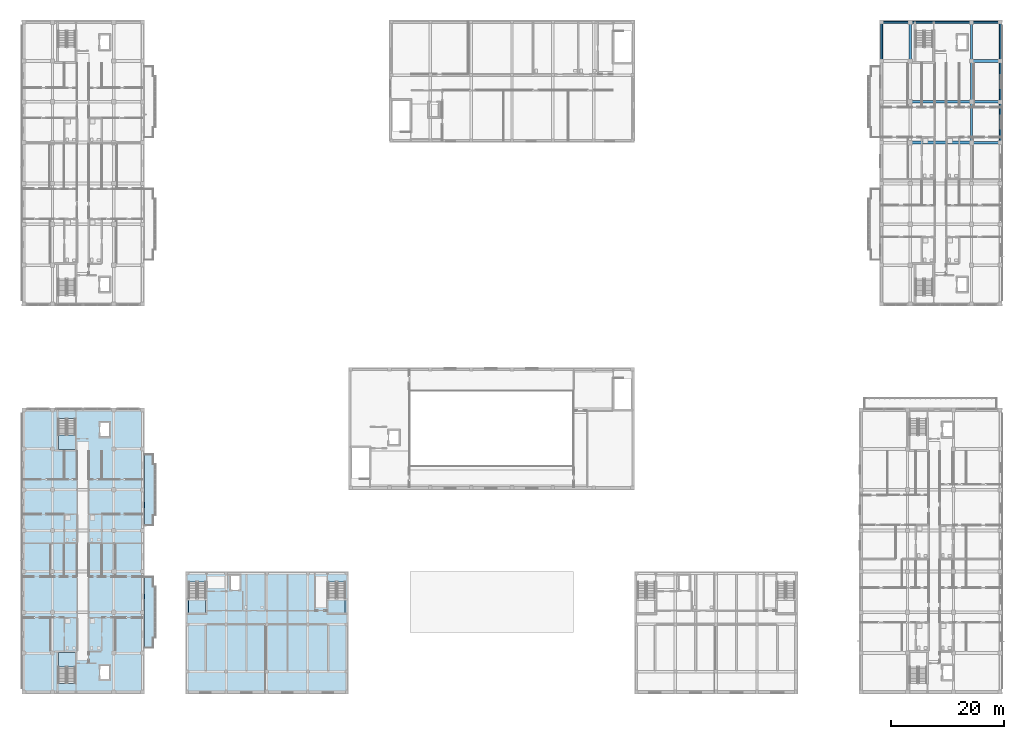
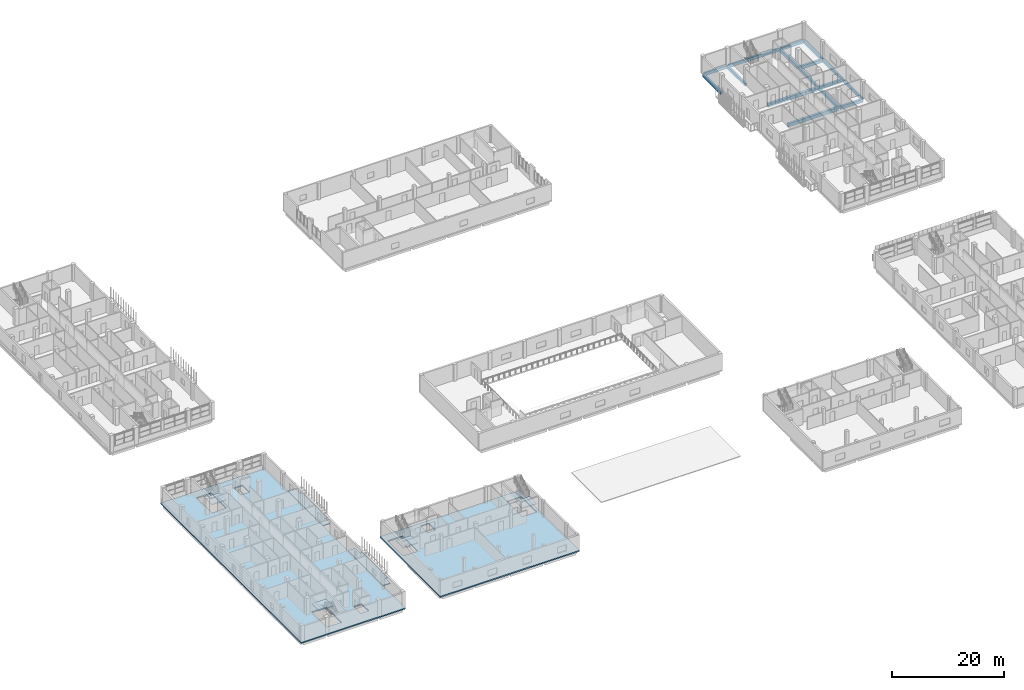
# One storey, part 28 of 73: 16 beams, 8 slabs, 4 elements without a shape of their own.
"""IFC4 building model written with IfcOpenShell, lengths in metres."""

import ifcopenshell
import ifcopenshell.guid

model = None  # the IFC model being written
_history = None  # IfcOwnerHistory: only IFC2X3 demands one
_inside = {}  # id of a spatial element -> (the spatial element, [elements in it])
_under = {}  # id of a project, library or spatial element -> (it, [spatial elements below it])
_declared = {}  # id of a project -> (the project, [libraries it declares])
_typed = {}  # id of a type object -> (the type object, [elements of that type])
_made_of = {}  # id of a material, layer set ... -> (it, [elements and type objects made of it])


def new_model(schema):
    """Start an empty IFC model of exactly this schema.

    Asked for "IFC4X3", IfcOpenShell would pick the latest addendum, in which some entities
    have other attributes; the version numbers below select the first issue.
    IFC2X3 requires an IfcOwnerHistory on every rooted entity: one is made here for all.
    """
    global model, _history
    if schema == "IFC4X3":
        model = ifcopenshell.file(schema_version=(4, 3, 0, 0))
    else:
        model = ifcopenshell.file(schema=schema)
    _inside.clear()
    _under.clear()
    _declared.clear()
    _typed.clear()
    _made_of.clear()
    _history = None
    if model.schema == "IFC2X3":
        org = make("IfcOrganization", Name="unknown")
        user = make(
            "IfcPersonAndOrganization",
            ThePerson=make("IfcPerson", FamilyName="unknown"),
            TheOrganization=org,
        )
        app = make(
            "IfcApplication",
            ApplicationDeveloper=org,
            Version="unknown",
            ApplicationFullName="unknown",
            ApplicationIdentifier="unknown",
        )
        _history = make(
            "IfcOwnerHistory",
            OwningUser=user,
            OwningApplication=app,
            ChangeAction="ADDED",
            CreationDate=0,
        )
    return model


def make(cls, **values):
    """One entity of the class cls with the attributes given. An attribute that is None is left unset."""
    return model.create_entity(
        cls, **{name: value for name, value in values.items() if value is not None}
    )


def rooted(cls, **values):
    """An entity with a GlobalId (a new one), such as an element, a storey or a relation."""
    return make(cls, GlobalId=ifcopenshell.guid.new(), OwnerHistory=_history, **values)


def si_unit(unit_type, name, prefix=None):
    """IfcSIUnit, for example si_unit("LENGTHUNIT", "METRE", prefix="MILLI")."""
    return make("IfcSIUnit", UnitType=unit_type, Prefix=prefix, Name=name)


def derived_unit(unit_type, elements):
    """IfcDerivedUnit: a product of units, each with its exponent."""
    return make(
        "IfcDerivedUnit",
        Elements=[
            make("IfcDerivedUnitElement", Unit=unit, Exponent=power)
            for unit, power in elements
        ],
        UnitType=unit_type,
    )


def assignment(units):
    """IfcUnitAssignment: the units of a project."""
    return None if units is None else make("IfcUnitAssignment", Units=units)


def point(xyz):
    """IfcCartesianPoint."""
    return None if xyz is None else make("IfcCartesianPoint", Coordinates=xyz)


def direction(xyz):
    """IfcDirection."""
    return None if xyz is None else make("IfcDirection", DirectionRatios=xyz)


def frame(location, z_axis=None, x_axis=None):
    """IfcAxis2Placement3D, a coordinate frame: its origin and axes. An axis left out is left unset."""
    return make(
        "IfcAxis2Placement3D",
        Location=point(location),
        Axis=direction(z_axis),
        RefDirection=direction(x_axis),
    )


def frame_2d(location, x_axis=None):
    """IfcAxis2Placement2D, a coordinate frame in the plane: its origin and x axis."""
    return make(
        "IfcAxis2Placement2D", Location=point(location), RefDirection=direction(x_axis)
    )


def origin():
    """The frame at (0, 0, 0) with its axes left unset."""
    return frame((0.0, 0.0, 0.0))


def origin_2d():
    """The frame at (0, 0) in the plane with its x axis left unset."""
    return frame_2d((0.0, 0.0))


def place(relative_to, where):
    """IfcLocalPlacement: puts the frame where relative to a parent placement (None: the world)."""
    return make(
        "IfcLocalPlacement", PlacementRelTo=relative_to, RelativePlacement=where
    )


def context(
    kind, dimensions, precision=None, world=None, true_north=None, identifier=None
):
    """IfcGeometricRepresentationContext, for example the 3D "Model" context."""
    return make(
        "IfcGeometricRepresentationContext",
        ContextIdentifier=identifier,
        ContextType=kind,
        CoordinateSpaceDimension=dimensions,
        Precision=precision,
        WorldCoordinateSystem=world,
        TrueNorth=true_north,
    )


def subcontext(parent, identifier, kind, view, scale=None):
    """IfcGeometricRepresentationSubContext, for example "Body" below "Model"."""
    return make(
        "IfcGeometricRepresentationSubContext",
        ContextIdentifier=identifier,
        ContextType=kind,
        ParentContext=parent,
        TargetScale=scale,
        TargetView=view,
    )


def project(units=None, contexts=None):
    """IfcProject with its units and contexts."""
    return rooted(
        "IfcProject",
        Name="project",
        RepresentationContexts=contexts,
        UnitsInContext=assignment(units),
    )


def spatial(cls, under=None, at=None, **own):
    """A site, building, storey or space (cls), placed at a placement, below another one or the project."""
    s = rooted(cls, ObjectPlacement=at, **own)
    if under is not None:
        _under.setdefault(under.id(), (under, []))[1].append(s)
    return s


def polyline(points):
    """IfcPolyline through the points."""
    return make("IfcPolyline", Points=[point(p) for p in points])


def profile(cls, at=None, kind="AREA", **sizes):
    """A parametric profile (cls). Its sizes go by their IFC names, for example OverallWidth=200.0."""
    return make(cls, ProfileType=kind, Position=at, **sizes)


def rectangle(**sizes):
    """IfcRectangleProfileDef."""
    return profile("IfcRectangleProfileDef", **sizes)


def outline(outer, holes=None, kind="AREA"):
    """IfcArbitraryClosedProfileDef: a profile drawn as a closed curve; with holes, ...WithVoids."""
    if holes is None:
        return make("IfcArbitraryClosedProfileDef", ProfileType=kind, OuterCurve=outer)
    return make(
        "IfcArbitraryProfileDefWithVoids",
        ProfileType=kind,
        OuterCurve=outer,
        InnerCurves=holes,
    )


def extrude(swept, where, along, depth):
    """IfcExtrudedAreaSolid: the profile swept, set in the frame where, extruded along a direction by depth."""
    return make(
        "IfcExtrudedAreaSolid",
        SweptArea=swept,
        Position=where,
        ExtrudedDirection=direction(along),
        Depth=depth,
    )


def shape(context_of_items, identifier, shape_type, items):
    """IfcShapeRepresentation: the items that make up one representation, for example the "Body"."""
    return make(
        "IfcShapeRepresentation",
        ContextOfItems=context_of_items,
        RepresentationIdentifier=identifier,
        RepresentationType=shape_type,
        Items=items,
    )


def material(Name=None, Category=None):
    """IfcMaterial."""
    return make("IfcMaterial", Name=Name, Category=Category)


def layer(
    of_material, thickness, ventilated=None, Name=None, Category=None, Priority=None
):
    """IfcMaterialLayer: one layer of a wall or slab, of a material (None: an air gap)."""
    return make(
        "IfcMaterialLayer",
        Material=of_material,
        LayerThickness=thickness,
        IsVentilated=ventilated,
        Name=Name,
        Category=Category,
        Priority=Priority,
    )


def layer_set(layers, Name=None):
    """IfcMaterialLayerSet."""
    return make("IfcMaterialLayerSet", MaterialLayers=layers, LayerSetName=Name)


def material_profile(
    of_material, cross_section, Name=None, Category=None, Priority=None
):
    """IfcMaterialProfile: a cross section and its material."""
    return make(
        "IfcMaterialProfile",
        Name=Name,
        Material=of_material,
        Profile=cross_section,
        Priority=Priority,
        Category=Category,
    )


def profile_set(profiles, Name=None, composite=None):
    """IfcMaterialProfileSet."""
    return make(
        "IfcMaterialProfileSet",
        Name=Name,
        MaterialProfiles=profiles,
        CompositeProfile=composite,
    )


def made_of(thing, what):
    """Note that an element or type object is made of a material, layer set ...; save() writes the relation."""
    if what is not None:
        _made_of.setdefault(what.id(), (what, []))[1].append(thing)
    return thing


def type_object(cls, material=None, **own):
    """A type object (cls), such as IfcWallType, which elements share."""
    return made_of(rooted(cls, **own), material)


def element(
    cls,
    number,
    at=None,
    inside=None,
    cuts=None,
    type_object=None,
    material=None,
    context=None,
    identifier="Body",
    shape_type=None,
    held_by="IfcProductDefinitionShape",
    body=None,
    shapes=None,
    **own,
):
    """One element of the class cls, such as IfcWall. Its Tag is "e" and its number.

    at: its placement. inside: the storey or other place that contains it. cuts: it is an
    opening in that element (IfcRelVoidsElement). A single representation is given by context,
    identifier, shape_type and body (its items); several are given by shapes. held_by: the class
    of the entity that holds the representations. save() writes the other relations.
    """
    e = rooted(cls, Tag="e%d" % number, ObjectPlacement=at, **own)
    if body is not None:
        shapes = [shape(context, identifier, shape_type, body)]
    if shapes is not None:
        e.Representation = make(held_by, Representations=shapes)
    if inside is not None:
        _inside.setdefault(inside.id(), (inside, []))[1].append(e)
    if cuts is not None:
        rooted(
            "IfcRelVoidsElement", RelatingBuildingElement=cuts, RelatedOpeningElement=e
        )
    if type_object is not None:
        _typed.setdefault(type_object.id(), (type_object, []))[1].append(e)
    return made_of(e, material)


def aggregate(whole, parts):
    """IfcRelAggregates: a whole, such as a stair, and the parts it consists of."""
    return rooted("IfcRelAggregates", RelatingObject=whole, RelatedObjects=parts)


def save(model, path):
    """Write the relations noted so far, then the file.

    IfcRelAggregates (storeys below a building ...), IfcRelContainedInSpatialStructure (elements
    in a storey), IfcRelDefinesByType, IfcRelAssociatesMaterial and IfcRelDeclares: one each for
    every whole, place, type object, material and project.
    """
    for whole, parts in _under.values():
        aggregate(whole, parts)
    for where, things in _inside.values():
        rooted(
            "IfcRelContainedInSpatialStructure",
            RelatedElements=things,
            RelatingStructure=where,
        )
    for kind, things in _typed.values():
        rooted("IfcRelDefinesByType", RelatedObjects=things, RelatingType=kind)
    for what, things in _made_of.values():
        rooted("IfcRelAssociatesMaterial", RelatedObjects=things, RelatingMaterial=what)
    for by, libraries in _declared.values():
        rooted("IfcRelDeclares", RelatingContext=by, RelatedDefinitions=libraries)
    model.write(path)


model = new_model("IFC4")

# Units and contexts
model_context = context("Model", 3, precision=1e-05, world=origin(), true_north=direction((0.0, 1.0)))
body_context = subcontext(model_context, "Body", "Model", "MODEL_VIEW")
ifc_project = project(units=[si_unit("LENGTHUNIT", "METRE"), si_unit("AREAUNIT", "SQUARE_METRE"), si_unit("VOLUMEUNIT", "CUBIC_METRE"), si_unit("PLANEANGLEUNIT", "RADIAN"), si_unit("MASSUNIT", "GRAM", prefix="KILO"), derived_unit("THERMALTRANSMITTANCEUNIT", [(si_unit("MASSUNIT", "GRAM", prefix="KILO"), 1), (si_unit("TIMEUNIT", "SECOND"), -3), (si_unit("THERMODYNAMICTEMPERATUREUNIT", "KELVIN"), -1)])], contexts=[model_context])

# Site, building, storey
site_placement = place(None, origin())
site = spatial("IfcSite", under=ifc_project, at=site_placement, CompositionType="ELEMENT")
building_placement = place(site_placement, origin())
building = spatial("IfcBuilding", under=site, at=building_placement, Name="Ochrekiln Boulevard Commons", CompositionType="ELEMENT")
storey_placement = place(building_placement, frame((0.0, 0.0, 4.89990234375)))
storey = spatial("IfcBuildingStorey", under=building, at=storey_placement, Name="L01", CompositionType="ELEMENT", Elevation=4.89990234375)

# Beams
ifc_material_1 = material(Name="Concrete C35/45", Category="concrete")
ifc_material_profile_1 = material_profile(ifc_material_1, rectangle(XDim=0.39990234375, YDim=0.60009765625, at=origin_2d()), Name="RC-BM-400x600")
ifc_profile_set_1 = profile_set([ifc_material_profile_1], Name="Concrete C35/45")
beam_type_1 = type_object("IfcBeamType", Name="BM-RC-400x600", PredefinedType="BEAM", material=ifc_profile_set_1)
beam_1_placement = place(storey_placement, frame((156.60009765625, 111.81005859375, -0.559814453125), z_axis=(0.0, 1.0, 0.0), x_axis=(-1.0, 0.0, 0.0)))
element("IfcBeam", 1, at=beam_1_placement, inside=storey, type_object=beam_type_1, Name="Block B L01 Beam B-4060 Y36", PredefinedType="BEAM", context=body_context, shape_type="SweptSolid", body=[
    extrude(rectangle(XDim=0.39990234375, YDim=0.60009765625, at=origin_2d()), origin(), (0.0, 0.0, 1.0), 6.429931640625),
])
beam_2_placement = place(storey_placement, frame((167.39990234375, 97.409912109375, -0.559814453125), z_axis=(0.0, 1.0, 0.0), x_axis=(-1.0, 0.0, 0.0)))
element("IfcBeam", 2, at=beam_2_placement, inside=storey, type_object=beam_type_1, Name="Block B L01 Beam B-4060 Y41", PredefinedType="BEAM", context=body_context, shape_type="SweptSolid", body=[
    extrude(rectangle(XDim=0.39990234375, YDim=0.60009765625, at=origin_2d()), origin(), (0.0, 0.0, 1.0), 6.780029296875),
])
beam_3_placement = place(storey_placement, frame((167.39990234375, 104.610107421875, -0.559814453125), z_axis=(0.0, 1.0, 0.0), x_axis=(-1.0, 0.0, 0.0)))
element("IfcBeam", 3, at=beam_3_placement, inside=storey, type_object=beam_type_1, Name="Block B L01 Beam B-4060 Y42", PredefinedType="BEAM", context=body_context, shape_type="SweptSolid", body=[
    extrude(rectangle(XDim=0.39990234375, YDim=0.60009765625, at=origin_2d()), origin(), (0.0, 0.0, 1.0), 6.77978515625),
])
beam_4_placement = place(storey_placement, frame((167.39990234375, 111.81005859375, -0.559814453125), z_axis=(0.0, 1.0, 0.0), x_axis=(-1.0, 0.0, 0.0)))
element("IfcBeam", 4, at=beam_4_placement, inside=storey, type_object=beam_type_1, Name="Block B L01 Beam B-4060 Y43", PredefinedType="BEAM", context=body_context, shape_type="SweptSolid", body=[
    extrude(rectangle(XDim=0.39990234375, YDim=0.60009765625, at=origin_2d()), origin(), (0.0, 0.0, 1.0), 6.429931640625),
])
ifc_material_profile_2 = material_profile(ifc_material_1, rectangle(XDim=0.449951171875, YDim=0.64990234375, at=origin_2d()), Name="RC-BM-450x650")
ifc_profile_set_2 = profile_set([ifc_material_profile_2], Name="Concrete C35/45")
beam_type_2 = type_object("IfcBeamType", Name="BM-RC-450x650", PredefinedType="BEAM", material=ifc_profile_set_2)
for number, where, z_axis, x_axis, name in (
    (5, (167.610107421875, 97.199951171875, -0.5849609375), (1.0, 0.0, 0.0), (0.0, 1.0, 0.0), "Block B L01 Beam B-4565 X14"),
    (6, (167.610107421875, 104.39990234375, -0.5849609375), (1.0, 0.0, 0.0), (0.0, 1.0, 0.0), "Block B L01 Beam B-4565 X17"),
    (7, (167.610107421875, 111.60009765625, -0.5849609375), (1.0, 0.0, 0.0), (0.0, 1.0, 0.0), "Block B L01 Beam B-4565 X19"),
):
    element("IfcBeam", number, at=place(storey_placement, frame(where, z_axis=z_axis, x_axis=x_axis)), inside=storey, type_object=beam_type_2, Name=name, PredefinedType="BEAM", context=body_context, shape_type="SweptSolid", body=[
        extrude(rectangle(XDim=0.449951171875, YDim=0.64990234375, at=origin_2d()), origin(), (0.0, 0.0, 1.0), 4.6298828125),
    ])
ifc_material_2 = material(Name="Concrete C40/50", Category="concrete")
ifc_material_profile_3 = material_profile(ifc_material_2, rectangle(XDim=0.5, YDim=0.699951171875, at=origin_2d()), Name="RC-BM-500x700")
ifc_profile_set_3 = profile_set([ifc_material_profile_3], Name="Concrete C40/50")
beam_type_3 = type_object("IfcBeamType", Name="BM-RC-500x700", PredefinedType="BEAM", material=ifc_profile_set_3)
for number, where, z_axis, x_axis, name in (
    (8, (156.81005859375, 97.199951171875, -0.60986328125), (1.0, 0.0, 0.0), (0.0, 1.0, 0.0), "Block B L01 Beam B-5070 X13"),
    (9, (156.81005859375, 104.39990234375, -0.60986328125), (1.0, 0.0, 0.0), (0.0, 1.0, 0.0), "Block B L01 Beam B-5070 X16"),
):
    element("IfcBeam", number, at=place(storey_placement, frame(where, z_axis=z_axis, x_axis=x_axis)), inside=storey, type_object=beam_type_3, Name=name, PredefinedType="BEAM", context=body_context, shape_type="SweptSolid", body=[
        extrude(rectangle(XDim=0.5, YDim=0.699951171875, at=origin_2d()), origin(), (0.0, 0.0, 1.0), 10.3798828125),
    ])
ifc_material_profile_4 = material_profile(ifc_material_2, rectangle(XDim=0.35009765625, YDim=0.64990234375, at=origin_2d()), Name="RC-SPN-350x650")
ifc_profile_set_4 = profile_set([ifc_material_profile_4], Name="Concrete C40/50")
beam_type_4 = type_object("IfcBeamType", Name="SPN-RC-350x650", PredefinedType="SPANDREL", material=ifc_profile_set_4)
beam_5_placement = place(storey_placement, frame((151.760009765625, 118.449951171875, -0.5849609375), z_axis=(1.0, 0.0, 0.0), x_axis=(0.0, 1.0, 0.0)))
element("IfcBeam", 10, at=beam_5_placement, inside=storey, type_object=beam_type_4, Name="Block B L01 Beam SP-3565 X20", PredefinedType="SPANDREL", context=body_context, shape_type="SweptSolid", body=[
    extrude(rectangle(XDim=0.35009765625, YDim=0.64990234375, at=origin_2d()), origin(), (0.0, 0.0, 1.0), 4.6298828125),
])
beam_6_placement = place(storey_placement, frame((156.81005859375, 118.449951171875, -0.5849609375), z_axis=(1.0, 0.0, 0.0), x_axis=(0.0, 1.0, 0.0)))
element("IfcBeam", 11, at=beam_6_placement, inside=storey, type_object=beam_type_4, Name="Block B L01 Beam SP-3565 X21", PredefinedType="SPANDREL", context=body_context, shape_type="SweptSolid", body=[
    extrude(rectangle(XDim=0.35009765625, YDim=0.64990234375, at=origin_2d()), origin(), (0.0, 0.0, 1.0), 10.3798828125),
])
beam_7_placement = place(storey_placement, frame((167.610107421875, 118.449951171875, -0.5849609375), z_axis=(1.0, 0.0, 0.0), x_axis=(0.0, 1.0, 0.0)))
element("IfcBeam", 12, at=beam_7_placement, inside=storey, type_object=beam_type_4, Name="Block B L01 Beam SP-3565 X22", PredefinedType="SPANDREL", context=body_context, shape_type="SweptSolid", body=[
    extrude(rectangle(XDim=0.35009765625, YDim=0.64990234375, at=origin_2d()), origin(), (0.0, 0.0, 1.0), 4.6298828125),
])
beam_8_placement = place(storey_placement, frame((151.550048828125, 111.81005859375, -0.5849609375), z_axis=(0.0, 1.0, 0.0), x_axis=(-1.0, 0.0, 0.0)))
element("IfcBeam", 13, at=beam_8_placement, inside=storey, type_object=beam_type_4, Name="Block B L01 Beam SP-3565 Y29", PredefinedType="SPANDREL", context=body_context, shape_type="SweptSolid", body=[
    extrude(rectangle(XDim=0.35009765625, YDim=0.64990234375, at=origin_2d()), origin(), (0.0, 0.0, 1.0), 6.429931640625),
])
beam_9_placement = place(storey_placement, frame((172.449951171875, 97.409912109375, -0.5849609375), z_axis=(0.0, 1.0, 0.0), x_axis=(-1.0, 0.0, 0.0)))
element("IfcBeam", 14, at=beam_9_placement, inside=storey, type_object=beam_type_4, Name="Block B L01 Beam SP-3565 Y48", PredefinedType="SPANDREL", context=body_context, shape_type="SweptSolid", body=[
    extrude(rectangle(XDim=0.35009765625, YDim=0.64990234375, at=origin_2d()), origin(), (0.0, 0.0, 1.0), 6.780029296875),
])
beam_10_placement = place(storey_placement, frame((172.449951171875, 104.610107421875, -0.5849609375), z_axis=(0.0, 1.0, 0.0), x_axis=(-1.0, 0.0, 0.0)))
element("IfcBeam", 15, at=beam_10_placement, inside=storey, type_object=beam_type_4, Name="Block B L01 Beam SP-3565 Y49", PredefinedType="SPANDREL", context=body_context, shape_type="SweptSolid", body=[
    extrude(rectangle(XDim=0.35009765625, YDim=0.64990234375, at=origin_2d()), origin(), (0.0, 0.0, 1.0), 6.77978515625),
])
beam_11_placement = place(storey_placement, frame((172.449951171875, 111.81005859375, -0.5849609375), z_axis=(0.0, 1.0, 0.0), x_axis=(-1.0, 0.0, 0.0)))
element("IfcBeam", 16, at=beam_11_placement, inside=storey, type_object=beam_type_4, Name="Block B L01 Beam SP-3565 Y50", PredefinedType="SPANDREL", context=body_context, shape_type="SweptSolid", body=[
    extrude(rectangle(XDim=0.35009765625, YDim=0.64990234375, at=origin_2d()), origin(), (0.0, 0.0, 1.0), 6.429931640625),
])

# Slabs
ifc_layer_1 = layer(ifc_material_1, 0.27490234375)
ifc_layer_set_1 = layer_set([ifc_layer_1], Name="Concrete C35/45")
slab_type_1 = type_object("IfcSlabType", Name="SLB-ARC-275", PredefinedType="FLOOR", material=ifc_layer_set_1)
slab_1_placement = place(storey_placement, frame((0.0, 0.0, -0.27490234375)))
element("IfcSlab", 17, at=slab_1_placement, inside=storey, type_object=slab_type_1, Name="West Boulevard Arcade L01 Floor Slab", PredefinedType="FLOOR", context=body_context, shape_type="SweptSolid", body=[
    extrude(outline(polyline([(28.800048828125, 0.0), (57.60009765625, 0.0), (57.60009765625, 21.60009765625), (28.800048828125, 21.60009765625), (28.800048828125, 0.0)]), holes=[polyline([(29.39990234375, 19.7294921875), (29.39990234375, 14.280029296875), (32.39990234375, 14.280029296875), (32.39990234375, 19.7294921875), (29.39990234375, 19.7294921875)]), polyline([(54.0, 19.7294921875), (54.0, 14.280029296875), (57.0, 14.280029296875), (57.0, 19.7294921875), (54.0, 19.7294921875)]), polyline([(36.75, 18.35009765625), (38.449951171875, 18.35009765625), (38.449951171875, 20.85009765625), (36.75, 20.85009765625), (36.75, 18.35009765625)])]), origin(), (0.0, 0.0, 1.0), 0.27490234375),
])
ifc_layer_2 = layer(ifc_material_1, 0.219970703125)
ifc_layer_set_2 = layer_set([ifc_layer_2], Name="Concrete C35/45")
slab_type_2 = type_object("IfcSlabType", Name="SLB-BAL-220", PredefinedType="FLOOR", material=ifc_layer_set_2)
slab_2_placement = place(storey_placement, frame((0.0, 0.0, -0.219970703125)))
element("IfcSlab", 18, at=slab_2_placement, inside=storey, type_object=slab_type_2, Name="Block D L01 Planter-Box Balcony Slab 1", PredefinedType="FLOOR", context=body_context, shape_type="SweptSolid", body=[
    extrude(outline(polyline([(21.60009765625, 8.10009765625), (23.14990234375, 8.10009765625), (23.14990234375, 9.89990234375), (23.60009765625, 9.89990234375), (23.60009765625, 18.89990234375), (23.14990234375, 18.89990234375), (23.14990234375, 20.699951171875), (21.60009765625, 20.699951171875), (21.60009765625, 8.10009765625)])), origin(), (0.0, 0.0, 1.0), 0.219970703125),
])
slab_3_placement = place(storey_placement, frame((0.0, 0.0, -0.219970703125)))
element("IfcSlab", 19, at=slab_3_placement, inside=storey, type_object=slab_type_2, Name="Block D L01 Planter-Box Balcony Slab 2", PredefinedType="FLOOR", context=body_context, shape_type="SweptSolid", body=[
    extrude(outline(polyline([(21.60009765625, 29.699951171875), (23.14990234375, 29.699951171875), (23.14990234375, 31.5), (23.60009765625, 31.5), (23.60009765625, 40.5), (23.14990234375, 40.5), (23.14990234375, 42.300048828125), (21.60009765625, 42.300048828125), (21.60009765625, 29.699951171875)])), origin(), (0.0, 0.0, 1.0), 0.219970703125),
])

# Stair, slab
stair_type = type_object("IfcStairType", Name="STR-DL-368", PredefinedType="TWO_STRAIGHT_RUN_STAIR", material=ifc_material_1)
stair_1_placement = place(storey_placement, origin())
stair_1 = element("IfcStair", 20, at=stair_1_placement, inside=storey, type_object=stair_type, Name="L01 Enclosed Exit Stair ST-D1", PredefinedType="TWO_STRAIGHT_RUN_STAIR")
ifc_layer_3 = layer(ifc_material_1, 0.199951171875)
ifc_layer_set_3 = layer_set([ifc_layer_3], Name="Concrete C35/45")
slab_type_3 = type_object("IfcSlabType", Name="SLB-LND-200", PredefinedType="LANDING", material=ifc_layer_set_3)
slab_4_placement = place(storey_placement, frame((0.0, 0.0, 1.6376953125)))
slab_4 = element("IfcSlab", 21, at=slab_4_placement, type_object=slab_type_3, Name="ST-D1 landing 1", PredefinedType="LANDING", context=body_context, shape_type="SweptSolid", body=[
    extrude(outline(polyline([(9.39990234375, 4.77001953125), (9.39990234375, 7.320068359375), (6.39990234375, 7.320068359375), (6.39990234375, 4.77001953125), (9.39990234375, 4.77001953125)])), origin(), (0.0, 0.0, 1.0), 0.199951171875),
])
aggregate(stair_1, [slab_4])

stair_2_placement = place(storey_placement, origin())
stair_2 = element("IfcStair", 22, at=stair_2_placement, inside=storey, type_object=stair_type, Name="L01 Enclosed Exit Stair ST-D2", PredefinedType="TWO_STRAIGHT_RUN_STAIR")
slab_5_placement = place(storey_placement, frame((0.0, 0.0, 1.6376953125)))
slab_5 = element("IfcSlab", 23, at=slab_5_placement, type_object=slab_type_3, Name="ST-D2 landing 1", PredefinedType="LANDING", context=body_context, shape_type="SweptSolid", body=[
    extrude(outline(polyline([(6.39990234375, 45.6298828125), (6.39990234375, 43.080078125), (9.39990234375, 43.080078125), (9.39990234375, 45.6298828125), (6.39990234375, 45.6298828125)])), origin(), (0.0, 0.0, 1.0), 0.199951171875),
])
aggregate(stair_2, [slab_5])

stair_3_placement = place(storey_placement, origin())
stair_3 = element("IfcStair", 24, at=stair_3_placement, inside=storey, type_object=stair_type, Name="L01 Enclosed Exit Stair ST-W1", PredefinedType="TWO_STRAIGHT_RUN_STAIR")
slab_6_placement = place(storey_placement, frame((0.0, 0.0, 1.6376953125)))
slab_6 = element("IfcSlab", 25, at=slab_6_placement, type_object=slab_type_3, Name="ST-W1 landing 1", PredefinedType="LANDING", context=body_context, shape_type="SweptSolid", body=[
    extrude(outline(polyline([(29.39990234375, 16.830078125), (29.39990234375, 14.280029296875), (32.39990234375, 14.280029296875), (32.39990234375, 16.830078125), (29.39990234375, 16.830078125)])), origin(), (0.0, 0.0, 1.0), 0.199951171875),
])
aggregate(stair_3, [slab_6])

stair_4_placement = place(storey_placement, origin())
stair_4 = element("IfcStair", 26, at=stair_4_placement, inside=storey, type_object=stair_type, Name="L01 Enclosed Exit Stair ST-W2", PredefinedType="TWO_STRAIGHT_RUN_STAIR")
slab_7_placement = place(storey_placement, frame((0.0, 0.0, 1.6376953125)))
slab_7 = element("IfcSlab", 27, at=slab_7_placement, type_object=slab_type_3, Name="ST-W2 landing 1", PredefinedType="LANDING", context=body_context, shape_type="SweptSolid", body=[
    extrude(outline(polyline([(54.0, 16.830078125), (54.0, 14.280029296875), (57.0, 14.280029296875), (57.0, 16.830078125), (54.0, 16.830078125)])), origin(), (0.0, 0.0, 1.0), 0.199951171875),
])
aggregate(stair_4, [slab_7])

# Slab
ifc_layer_4 = layer(ifc_material_1, 0.260009765625)
ifc_layer_set_4 = layer_set([ifc_layer_4], Name="Concrete C35/45")
slab_type_4 = type_object("IfcSlabType", Name="SLB-RES-260", PredefinedType="FLOOR", material=ifc_layer_set_4)
slab_8_placement = place(storey_placement, frame((0.0, 0.0, -0.260009765625)))
element("IfcSlab", 28, at=slab_8_placement, inside=storey, type_object=slab_type_4, Name="Block D L01 Reinforced Concrete Floor Slab", PredefinedType="FLOOR", context=body_context, shape_type="SweptSolid", body=[
    extrude(outline(polyline([(0.0, 0.0), (21.60009765625, 0.0), (21.60009765625, 50.39990234375), (0.0, 50.39990234375), (0.0, 0.0)]), holes=[polyline([(9.39990234375, 1.87060546875), (9.39990234375, 7.320068359375), (6.39990234375, 7.320068359375), (6.39990234375, 1.87060546875), (9.39990234375, 1.87060546875)]), polyline([(6.39990234375, 48.529541015625), (6.39990234375, 43.080078125), (9.39990234375, 43.080078125), (9.39990234375, 48.529541015625), (6.39990234375, 48.529541015625)]), polyline([(13.75, 2.550048828125), (15.449951171875, 2.550048828125), (15.449951171875, 5.050048828125), (13.75, 5.050048828125), (13.75, 2.550048828125)]), polyline([(13.75, 45.35009765625), (15.449951171875, 45.35009765625), (15.449951171875, 47.85009765625), (13.75, 47.85009765625), (13.75, 45.35009765625)])]), origin(), (0.0, 0.0, 1.0), 0.260009765625),
])

save(model, "model.ifc")
